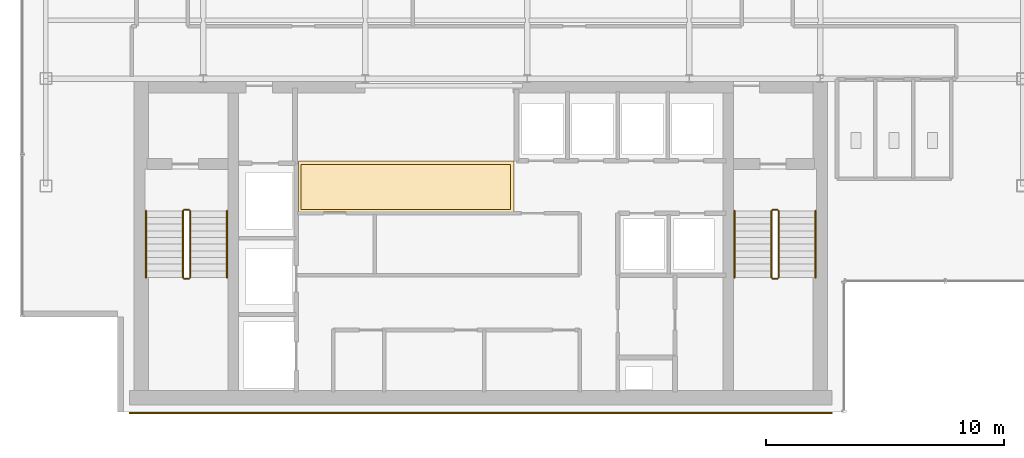
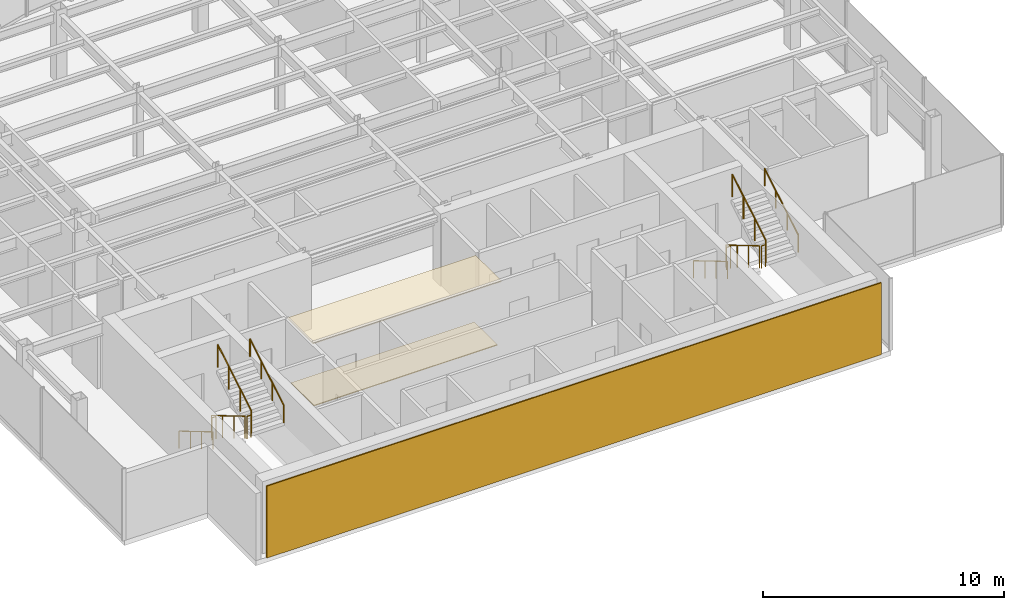
# One storey, part 20 of 22: 12 railings, 3 coverings.
"""IFC4 building model written with IfcOpenShell, lengths in metres."""

from ifc_helpers import new_model, si_unit, derived_unit, direction, frame, origin, origin_2d, place, context, subcontext, project, spatial, polyline, rectangle, circle, outline, extrude, source, transform, mapped, material, layer, layer_set, type_object, element, save


model = new_model("IFC4")

# Units and contexts
model_context = context("Model", 3, precision=1e-05, world=origin(), true_north=direction((0.0, 1.0)))
body_context = subcontext(model_context, "Body", "Model", "MODEL_VIEW")
ifc_project = project(units=[si_unit("LENGTHUNIT", "METRE"), si_unit("AREAUNIT", "SQUARE_METRE"), si_unit("VOLUMEUNIT", "CUBIC_METRE"), si_unit("PLANEANGLEUNIT", "RADIAN"), si_unit("MASSUNIT", "GRAM", prefix="KILO"), derived_unit("THERMALTRANSMITTANCEUNIT", [(si_unit("POWERUNIT", "WATT"), 1), (si_unit("LENGTHUNIT", "METRE"), -2), (si_unit("THERMODYNAMICTEMPERATUREUNIT", "KELVIN"), -1)])], contexts=[model_context])

# Site, building, storey
site_placement = place(None, origin())
site = spatial("IfcSite", under=ifc_project, at=site_placement, CompositionType="ELEMENT")
building_placement = place(site_placement, origin())
building = spatial("IfcBuilding", under=site, at=building_placement, Name="Skarnbrae Concourse Arena and Tower", CompositionType="ELEMENT")
storey_placement = place(building_placement, frame((0.0, 0.0, 284.35009765625)))
storey = spatial("IfcBuildingStorey", under=building, at=storey_placement, Name="L74", CompositionType="ELEMENT", Elevation=284.35009765625)

# Coverings
ifc_material_1 = material(Name="Mineral fibre acoustic ceiling tile", Category="other")
ifc_layer_1 = layer(ifc_material_1, 0.0400390625)
ifc_layer_set_1 = layer_set([ifc_layer_1], Name="Mineral fibre acoustic ceiling tile")
covering_type_1 = type_object("IfcCoveringType", Name="COV-CEIL-ACOUSTIC", PredefinedType="CEILING", material=ifc_layer_set_1)
covering_1_placement = place(storey_placement, frame((0.0, 0.0, 3.239990234375)))
element("IfcCovering", 1, at=covering_1_placement, inside=storey, type_object=covering_type_1, Name="L74 Lift lobby acoustic ceiling", PredefinedType="CEILING", context=body_context, shape_type="SweptSolid", body=[
    extrude(outline(polyline([(11.60009765625, 8.39990234375), (20.64990234375, 8.39990234375), (20.64990234375, 10.550048828125), (11.60009765625, 10.550048828125), (11.60009765625, 8.39990234375)])), origin(), (0.0, 0.0, 1.0), 0.039794921875),
])
ifc_material_2 = material(Name="Polished granite terrazzo flooring", Category="masonry")
ifc_layer_2 = layer(ifc_material_2, 0.0400390625)
ifc_layer_set_2 = layer_set([ifc_layer_2], Name="Polished granite terrazzo flooring")
covering_type_2 = type_object("IfcCoveringType", Name="COV-FLOOR-TERRAZZO", PredefinedType="FLOORING", material=ifc_layer_set_2)
covering_2_placement = place(storey_placement, origin())
element("IfcCovering", 2, at=covering_2_placement, inside=storey, type_object=covering_type_2, Name="L74 Lift lobby terrazzo flooring", PredefinedType="FLOORING", context=body_context, shape_type="SweptSolid", body=[
    extrude(outline(polyline([(11.699951171875, 8.5), (20.5, 8.5), (20.5, 10.39990234375), (11.699951171875, 10.39990234375), (11.699951171875, 8.5)])), origin(), (0.0, 0.0, 1.0), 0.039794921875),
])

# Railings
ifc_material_3 = material(Name="Steel CSA G40.21 350W", Category="steel")
railing_type_1 = type_object("IfcRailingType", Name="RAIL-HANDRAIL-900", PredefinedType="HANDRAIL", material=ifc_material_3)
railing_1_placement = place(storey_placement, frame((5.199951171875, 8.449951171875, 0.165771484375)))
element("IfcRailing", 3, at=railing_1_placement, inside=storey, type_object=railing_type_1, Name="L74 ST-1 stair handrail 1", PredefinedType="HANDRAIL", context=body_context, shape_type="SweptSolid", body=[
    extrude(circle(Radius=0.02392578125, at=origin_2d()), frame((0.0, 0.0, 0.8759765625), z_axis=(0.0, -0.860306154799, 0.50977771628), x_axis=(1.0, 0.0, 0.0)), (0.0, 0.0, 1.0), 3.254638671875),
    extrude(circle(Radius=0.02099609375, at=origin_2d()), origin(), (0.0, 0.0, 1.0), 0.851806640625),
    extrude(circle(Radius=0.02099609375, at=origin_2d()), frame((0.0, -0.933349609375, 0.552978515625)), (0.0, 0.0, 1.0), 0.851806640625),
    extrude(circle(Radius=0.02099609375, at=origin_2d()), frame((0.0, -1.86669921875, 1.106201171875)), (0.0, 0.0, 1.0), 0.851806640625),
    extrude(circle(Radius=0.02099609375, at=origin_2d()), frame((0.0, -2.800048828125, 1.6591796875)), (0.0, 0.0, 1.0), 0.851806640625),
])
railing_2_placement = place(storey_placement, frame((8.60009765625, 5.64990234375, 1.99072265625)))
element("IfcRailing", 4, at=railing_2_placement, inside=storey, type_object=railing_type_1, Name="L74 ST-1 stair handrail 2", PredefinedType="HANDRAIL", context=body_context, shape_type="SweptSolid", body=[
    extrude(circle(Radius=0.02392578125, at=origin_2d()), frame((0.0, 0.0, 0.8759765625), z_axis=(0.0, 0.860306154799, 0.50977771628), x_axis=(-1.0, 0.0, 0.0)), (0.0, 0.0, 1.0), 3.254638671875),
    extrude(circle(Radius=0.02099609375, at=origin_2d()), origin(), (0.0, 0.0, 1.0), 0.851806640625),
    extrude(circle(Radius=0.02099609375, at=origin_2d()), frame((0.0, 0.933349609375, 0.552978515625)), (0.0, 0.0, 1.0), 0.851806640625),
    extrude(circle(Radius=0.02099609375, at=origin_2d()), frame((0.0, 1.86669921875, 1.106201171875)), (0.0, 0.0, 1.0), 0.851806640625),
    extrude(circle(Radius=0.02099609375, at=origin_2d()), frame((0.0, 2.800048828125, 1.6591796875)), (0.0, 0.0, 1.0), 0.851806640625),
])
railing_3_placement = place(storey_placement, frame((29.89990234375, 8.449951171875, 0.165771484375)))
element("IfcRailing", 5, at=railing_3_placement, inside=storey, type_object=railing_type_1, Name="L74 ST-2 stair handrail 1", PredefinedType="HANDRAIL", context=body_context, shape_type="SweptSolid", body=[
    extrude(circle(Radius=0.02392578125, at=origin_2d()), frame((0.0, 0.0, 0.8759765625), z_axis=(0.0, -0.860306154799, 0.50977771628), x_axis=(1.0, 0.0, 0.0)), (0.0, 0.0, 1.0), 3.254638671875),
    extrude(circle(Radius=0.02099609375, at=origin_2d()), origin(), (0.0, 0.0, 1.0), 0.851806640625),
    extrude(circle(Radius=0.02099609375, at=origin_2d()), frame((0.0, -0.933349609375, 0.552978515625)), (0.0, 0.0, 1.0), 0.851806640625),
    extrude(circle(Radius=0.02099609375, at=origin_2d()), frame((0.0, -1.86669921875, 1.106201171875)), (0.0, 0.0, 1.0), 0.851806640625),
    extrude(circle(Radius=0.02099609375, at=origin_2d()), frame((0.0, -2.800048828125, 1.6591796875)), (0.0, 0.0, 1.0), 0.851806640625),
])
railing_4_placement = place(storey_placement, frame((33.300048828125, 5.64990234375, 1.99072265625)))
element("IfcRailing", 6, at=railing_4_placement, inside=storey, type_object=railing_type_1, Name="L74 ST-2 stair handrail 2", PredefinedType="HANDRAIL", context=body_context, shape_type="SweptSolid", body=[
    extrude(circle(Radius=0.02392578125, at=origin_2d()), frame((0.0, 0.0, 0.8759765625), z_axis=(0.0, 0.860306154799, 0.50977771628), x_axis=(-1.0, 0.0, 0.0)), (0.0, 0.0, 1.0), 3.254638671875),
    extrude(circle(Radius=0.02099609375, at=origin_2d()), origin(), (0.0, 0.0, 1.0), 0.851806640625),
    extrude(circle(Radius=0.02099609375, at=origin_2d()), frame((0.0, 0.933349609375, 0.552978515625)), (0.0, 0.0, 1.0), 0.851806640625),
    extrude(circle(Radius=0.02099609375, at=origin_2d()), frame((0.0, 1.86669921875, 1.106201171875)), (0.0, 0.0, 1.0), 0.851806640625),
    extrude(circle(Radius=0.02099609375, at=origin_2d()), frame((0.0, 2.800048828125, 1.6591796875)), (0.0, 0.0, 1.0), 0.851806640625),
])
railing_type_2 = type_object("IfcRailingType", Name="RAIL-STAIR-GUARD-1150", PredefinedType="GUARDRAIL", material=ifc_material_3)
railing_5_placement = place(storey_placement, frame((6.75, 8.449951171875, 0.165771484375)))
element("IfcRailing", 7, at=railing_5_placement, inside=storey, type_object=railing_type_2, Name="L74 ST-1 stair guard 1", PredefinedType="GUARDRAIL", context=body_context, shape_type="SweptSolid", body=[
    extrude(circle(Radius=0.02392578125, at=origin_2d()), frame((0.0, 0.0, 1.1259765625), z_axis=(0.0, -0.860306154799, 0.50977771628), x_axis=(1.0, 0.0, 0.0)), (0.0, 0.0, 1.0), 3.254638671875),
    extrude(circle(Radius=0.02099609375, at=origin_2d()), origin(), (0.0, 0.0, 1.0), 1.101806640625),
    extrude(circle(Radius=0.02099609375, at=origin_2d()), frame((0.0, -0.933349609375, 0.552978515625)), (0.0, 0.0, 1.0), 1.101806640625),
    extrude(circle(Radius=0.02099609375, at=origin_2d()), frame((0.0, -1.86669921875, 1.106201171875)), (0.0, 0.0, 1.0), 1.101806640625),
    extrude(circle(Radius=0.02099609375, at=origin_2d()), frame((0.0, -2.800048828125, 1.6591796875)), (0.0, 0.0, 1.0), 1.101806640625),
])
railing_6_placement = place(storey_placement, frame((6.800048828125, 5.60009765625, 1.824951171875)))
element("IfcRailing", 8, at=railing_6_placement, inside=storey, type_object=railing_type_2, Name="L74 ST-1 stair guard 2", PredefinedType="GUARDRAIL", context=body_context, shape_type="SweptSolid", body=[
    extrude(circle(Radius=0.02392578125, at=origin_2d()), frame((0.0, 0.0, 1.1259765625), z_axis=(1.0, 0.0, 0.0), x_axis=(0.0, 1.0, 0.0)), (0.0, 0.0, 1.0), 0.199951171875),
    extrude(circle(Radius=0.02099609375, at=origin_2d()), origin(), (0.0, 0.0, 1.0), 1.101806640625),
    extrude(circle(Radius=0.02099609375, at=origin_2d()), frame((0.199951171875, 0.0, 0.0)), (0.0, 0.0, 1.0), 1.101806640625),
])
railing_7_placement = place(storey_placement, frame((7.050048828125, 5.64990234375, 1.99072265625)))
element("IfcRailing", 9, at=railing_7_placement, inside=storey, type_object=railing_type_2, Name="L74 ST-1 stair guard 3", PredefinedType="GUARDRAIL", context=body_context, shape_type="SweptSolid", body=[
    extrude(circle(Radius=0.02392578125, at=origin_2d()), frame((0.0, 0.0, 1.1259765625), z_axis=(0.0, 0.860306154799, 0.50977771628), x_axis=(-1.0, 0.0, 0.0)), (0.0, 0.0, 1.0), 3.254638671875),
    extrude(circle(Radius=0.02099609375, at=origin_2d()), origin(), (0.0, 0.0, 1.0), 1.101806640625),
    extrude(circle(Radius=0.02099609375, at=origin_2d()), frame((0.0, 0.933349609375, 0.552978515625)), (0.0, 0.0, 1.0), 1.101806640625),
    extrude(circle(Radius=0.02099609375, at=origin_2d()), frame((0.0, 1.86669921875, 1.106201171875)), (0.0, 0.0, 1.0), 1.101806640625),
    extrude(circle(Radius=0.02099609375, at=origin_2d()), frame((0.0, 2.800048828125, 1.6591796875)), (0.0, 0.0, 1.0), 1.101806640625),
])
railing_8_placement = place(storey_placement, frame((6.800048828125, 8.5, 0.0)))
element("IfcRailing", 10, at=railing_8_placement, inside=storey, type_object=railing_type_2, Name="L74 ST-1 stair guard 4", PredefinedType="GUARDRAIL", context=body_context, shape_type="SweptSolid", body=[
    extrude(circle(Radius=0.02392578125, at=origin_2d()), frame((0.0, 0.0, 1.1259765625), z_axis=(1.0, 0.0, 0.0), x_axis=(0.0, 1.0, 0.0)), (0.0, 0.0, 1.0), 0.199951171875),
    extrude(circle(Radius=0.02099609375, at=origin_2d()), origin(), (0.0, 0.0, 1.0), 1.101806640625),
    extrude(circle(Radius=0.02099609375, at=origin_2d()), frame((0.199951171875, 0.0, 0.0)), (0.0, 0.0, 1.0), 1.101806640625),
])
railing_9_placement = place(storey_placement, frame((31.449951171875, 8.449951171875, 0.165771484375)))
element("IfcRailing", 11, at=railing_9_placement, inside=storey, type_object=railing_type_2, Name="L74 ST-2 stair guard 1", PredefinedType="GUARDRAIL", context=body_context, shape_type="SweptSolid", body=[
    extrude(circle(Radius=0.02392578125, at=origin_2d()), frame((0.0, 0.0, 1.1259765625), z_axis=(0.0, -0.860306154799, 0.50977771628), x_axis=(1.0, 0.0, 0.0)), (0.0, 0.0, 1.0), 3.254638671875),
    extrude(circle(Radius=0.02099609375, at=origin_2d()), origin(), (0.0, 0.0, 1.0), 1.101806640625),
    extrude(circle(Radius=0.02099609375, at=origin_2d()), frame((0.0, -0.933349609375, 0.552978515625)), (0.0, 0.0, 1.0), 1.101806640625),
    extrude(circle(Radius=0.02099609375, at=origin_2d()), frame((0.0, -1.86669921875, 1.106201171875)), (0.0, 0.0, 1.0), 1.101806640625),
    extrude(circle(Radius=0.02099609375, at=origin_2d()), frame((0.0, -2.800048828125, 1.6591796875)), (0.0, 0.0, 1.0), 1.101806640625),
])
railing_10_placement = place(storey_placement, frame((31.5, 5.60009765625, 1.824951171875)))
element("IfcRailing", 12, at=railing_10_placement, inside=storey, type_object=railing_type_2, Name="L74 ST-2 stair guard 2", PredefinedType="GUARDRAIL", context=body_context, shape_type="SweptSolid", body=[
    extrude(circle(Radius=0.02392578125, at=origin_2d()), frame((0.0, 0.0, 1.1259765625), z_axis=(1.0, 0.0, 0.0), x_axis=(0.0, 1.0, 0.0)), (0.0, 0.0, 1.0), 0.199951171875),
    extrude(circle(Radius=0.02099609375, at=origin_2d()), origin(), (0.0, 0.0, 1.0), 1.101806640625),
    extrude(circle(Radius=0.02099609375, at=origin_2d()), frame((0.199951171875, 0.0, 0.0)), (0.0, 0.0, 1.0), 1.101806640625),
])
railing_11_placement = place(storey_placement, frame((31.75, 5.64990234375, 1.99072265625)))
element("IfcRailing", 13, at=railing_11_placement, inside=storey, type_object=railing_type_2, Name="L74 ST-2 stair guard 3", PredefinedType="GUARDRAIL", context=body_context, shape_type="SweptSolid", body=[
    extrude(circle(Radius=0.02392578125, at=origin_2d()), frame((0.0, 0.0, 1.1259765625), z_axis=(0.0, 0.860306154799, 0.50977771628), x_axis=(-1.0, 0.0, 0.0)), (0.0, 0.0, 1.0), 3.254638671875),
    extrude(circle(Radius=0.02099609375, at=origin_2d()), origin(), (0.0, 0.0, 1.0), 1.101806640625),
    extrude(circle(Radius=0.02099609375, at=origin_2d()), frame((0.0, 0.933349609375, 0.552978515625)), (0.0, 0.0, 1.0), 1.101806640625),
    extrude(circle(Radius=0.02099609375, at=origin_2d()), frame((0.0, 1.86669921875, 1.106201171875)), (0.0, 0.0, 1.0), 1.101806640625),
    extrude(circle(Radius=0.02099609375, at=origin_2d()), frame((0.0, 2.800048828125, 1.6591796875)), (0.0, 0.0, 1.0), 1.101806640625),
])
railing_12_placement = place(storey_placement, frame((31.5, 8.5, 0.0)))
element("IfcRailing", 14, at=railing_12_placement, inside=storey, type_object=railing_type_2, Name="L74 ST-2 stair guard 4", PredefinedType="GUARDRAIL", context=body_context, shape_type="SweptSolid", body=[
    extrude(circle(Radius=0.02392578125, at=origin_2d()), frame((0.0, 0.0, 1.1259765625), z_axis=(1.0, 0.0, 0.0), x_axis=(0.0, 1.0, 0.0)), (0.0, 0.0, 1.0), 0.199951171875),
    extrude(circle(Radius=0.02099609375, at=origin_2d()), origin(), (0.0, 0.0, 1.0), 1.101806640625),
    extrude(circle(Radius=0.02099609375, at=origin_2d()), frame((0.199951171875, 0.0, 0.0)), (0.0, 0.0, 1.0), 1.101806640625),
])

# Covering
ifc_material_4 = material(Name="Bronze anodised aluminium 6063-T6", Category="aluminium")
ifc_layer_3 = layer(ifc_material_4, 0.06005859375)
ifc_layer_set_3 = layer_set([ifc_layer_3], Name="Bronze anodised aluminium 6063-T6")
covering_type_3 = type_object("IfcCoveringType", Name="COV-CLAD-BRONZE-60", PredefinedType="CLADDING", material=ifc_layer_set_3)
shared_shape = source(origin(), body_context, "Body", "SweptSolid", [
    extrude(rectangle(XDim=29.5, YDim=0.06005859375, at=origin_2d()), origin(), (0.0, 0.0, 1.0), 3.64990234375),
])
covering_3_placement = place(storey_placement, frame((19.25, -0.030029296875, 0.0), z_axis=(0.0, 0.0, 1.0), x_axis=(1.0, 0.0, 0.0)))
element("IfcCovering", 15, at=covering_3_placement, inside=storey, type_object=covering_type_3, Name="L74 Rear-core plumb spine bronze rainscreen panel", PredefinedType="CLADDING", context=body_context, shape_type="MappedRepresentation", body=[
    mapped(shared_shape, transform((0.0, 0.0, 0.0))),
])

save(model, "model.ifc")
